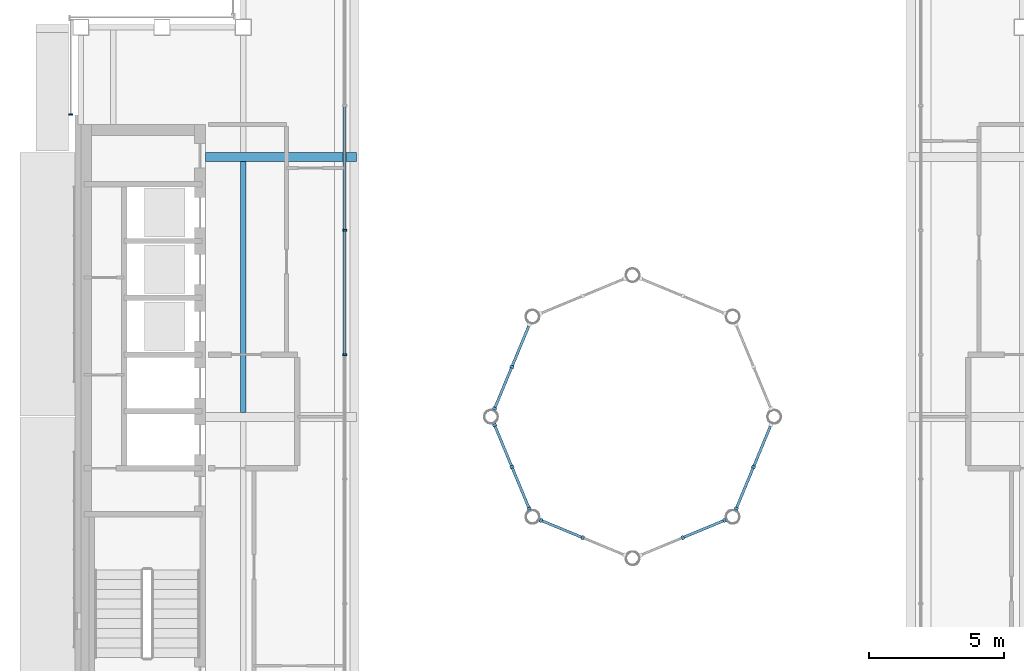
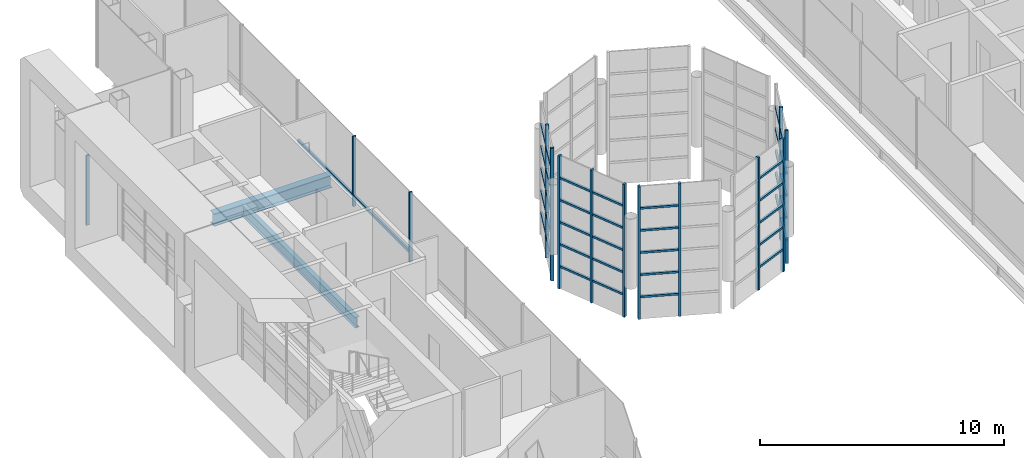
# One storey, part 5 of 21: 56 members, 2 beams, 7 elements without a shape of their own.
"""IFC4 building model written with IfcOpenShell, lengths in metres."""

from ifc_helpers import new_model, si_unit, direction, frame, origin, origin_2d, place, context, subcontext, project, spatial, rectangle, i_section, extrude, material, material_profile, profile_set, type_object, element, aggregate, save


model = new_model("IFC4")

# Units and contexts
model_context = context("Model", 3, precision=1e-05, world=origin(), true_north=direction((0.0, 1.0)))
body_context = subcontext(model_context, "Body", "Model", "MODEL_VIEW")
ifc_project = project(units=[si_unit("LENGTHUNIT", "METRE"), si_unit("AREAUNIT", "SQUARE_METRE"), si_unit("VOLUMEUNIT", "CUBIC_METRE"), si_unit("PLANEANGLEUNIT", "RADIAN"), si_unit("MASSUNIT", "GRAM", prefix="KILO")], contexts=[model_context])

# Site, building, storey
site_placement = place(None, origin())
site = spatial("IfcSite", under=ifc_project, at=site_placement, CompositionType="ELEMENT")
building_placement = place(site_placement, origin())
building = spatial("IfcBuilding", under=site, at=building_placement, Name="Cobrizo Arcos Hotel Tower", CompositionType="ELEMENT")
storey_placement = place(building_placement, frame((0.0, 0.0, 283.0)))
storey = spatial("IfcBuildingStorey", under=building, at=storey_placement, Name="L75", CompositionType="ELEMENT", Elevation=283.0)

# Curtain wall, member
ifc_material_1 = material(Name="Aluminium 6063-T6 anodised bronze", Category="aluminium")
curtain_wall_type_1 = type_object("IfcCurtainWallType", Name="CW-A guest facade", PredefinedType="NOTDEFINED", material=ifc_material_1)
curtain_wall_1_placement = place(storey_placement, origin())
curtain_wall_1 = element("IfcCurtainWall", 1, at=curtain_wall_1_placement, inside=storey, type_object=curtain_wall_type_1, Name="CW-A L75 W face", PredefinedType="NOTDEFINED")
ifc_material_profile_1 = material_profile(ifc_material_1, rectangle(XDim=0.14990234375, YDim=0.06005859375, at=origin_2d()), Name="CW-A mullion 150x60")
ifc_profile_set_1 = profile_set([ifc_material_profile_1], Name="Aluminium 6063-T6 anodised bronze")
member_type_1 = type_object("IfcMemberType", Name="CW-A mullion 150x60", PredefinedType="MULLION", material=ifc_profile_set_1)
member_1_placement = place(storey_placement, frame((-20.77490234375, 11.179931640625, 0.0), z_axis=(0.0, 0.0, 1.0), x_axis=(-1.0, 0.0, 0.0)))
member_1 = element("IfcMember", 2, at=member_1_placement, type_object=member_type_1, Name="CW-A mullion 2", PredefinedType="MULLION", context=body_context, shape_type="SweptSolid", body=[
    extrude(rectangle(XDim=0.14990234375, YDim=0.06005859375, at=origin_2d()), origin(), (0.0, 0.0, 1.0), 3.5),
])
aggregate(curtain_wall_1, [member_1])

# Curtain wall, members
curtain_wall_type_2 = type_object("IfcCurtainWallType", Name="CW-C arch infill and crown glazing", PredefinedType="NOTDEFINED", material=ifc_material_1)
curtain_wall_2_placement = place(storey_placement, origin())
curtain_wall_2 = element("IfcCurtainWall", 3, at=curtain_wall_2_placement, inside=storey, type_object=curtain_wall_type_2, Name="CW-C L75 E face", PredefinedType="NOTDEFINED")
ifc_material_profile_2 = material_profile(ifc_material_1, rectangle(XDim=0.14990234375, YDim=0.070068359375, at=origin_2d()), Name="CW-C mullion 150x70")
ifc_profile_set_2 = profile_set([ifc_material_profile_2], Name="Aluminium 6063-T6 anodised bronze")
member_type_2 = type_object("IfcMemberType", Name="CW-C mullion 150x70", PredefinedType="MULLION", material=ifc_profile_set_2)
member_2_placement = place(storey_placement, frame((-10.65087890625, 2.300048828125, 0.0), z_axis=(0.0, 0.0, 1.0), x_axis=(1.0, 0.0, 0.0)))
member_2 = element("IfcMember", 4, at=member_2_placement, type_object=member_type_2, Name="CW-C mullion 6", PredefinedType="MULLION", context=body_context, shape_type="SweptSolid", body=[
    extrude(rectangle(XDim=0.14990234375, YDim=0.070068359375, at=origin_2d()), origin(), (0.0, 0.0, 1.0), 3.5),
])
member_3_placement = place(storey_placement, frame((-10.65087890625, 6.89990234375, 0.0), z_axis=(0.0, 0.0, 1.0), x_axis=(1.0, 0.0, 0.0)))
member_3 = element("IfcMember", 5, at=member_3_placement, type_object=member_type_2, Name="CW-C mullion 7", PredefinedType="MULLION", context=body_context, shape_type="SweptSolid", body=[
    extrude(rectangle(XDim=0.14990234375, YDim=0.070068359375, at=origin_2d()), origin(), (0.0, 0.0, 1.0), 3.5),
])
ifc_material_profile_3 = material_profile(ifc_material_1, rectangle(XDim=0.10009765625, YDim=0.139892578125, at=origin_2d()), Name="CW-C transom 140x100")
ifc_profile_set_3 = profile_set([ifc_material_profile_3], Name="Aluminium 6063-T6 anodised bronze")
member_type_3 = type_object("IfcMemberType", Name="CW-C transom 140x100", PredefinedType="USERDEFINED", material=ifc_profile_set_3)
member_4_placement = place(storey_placement, frame((-10.65087890625, 2.3349609375, 0.5), z_axis=(0.0, 1.0, 0.0), x_axis=(-1.0, 0.0, 0.0)))
member_4 = element("IfcMember", 6, at=member_4_placement, type_object=member_type_3, Name="CW-C transom 2381", ObjectType="TRANSOM", PredefinedType="USERDEFINED", context=body_context, shape_type="SweptSolid", body=[
    extrude(rectangle(XDim=0.10009765625, YDim=0.139892578125, at=origin_2d()), origin(), (0.0, 0.0, 1.0), 4.530029296875),
])
member_5_placement = place(storey_placement, frame((-10.65087890625, 6.93505859375, 0.5), z_axis=(0.0, 1.0, 0.0), x_axis=(-1.0, 0.0, 0.0)))
member_5 = element("IfcMember", 7, at=member_5_placement, type_object=member_type_3, Name="CW-C transom 2382", ObjectType="TRANSOM", PredefinedType="USERDEFINED", context=body_context, shape_type="SweptSolid", body=[
    extrude(rectangle(XDim=0.10009765625, YDim=0.139892578125, at=origin_2d()), origin(), (0.0, 0.0, 1.0), 4.530029296875),
])
aggregate(curtain_wall_2, [member_2, member_3, member_4, member_5])

curtain_wall_type_3 = type_object("IfcCurtainWallType", Name="CW-D plant louvre wall", PredefinedType="NOTDEFINED", material=ifc_material_1)
curtain_wall_3_placement = place(storey_placement, origin())
curtain_wall_3 = element("IfcCurtainWall", 8, at=curtain_wall_3_placement, inside=storey, type_object=curtain_wall_type_3, Name="CW-D drum louvre wall t2-4", PredefinedType="NOTDEFINED")
ifc_material_profile_4 = material_profile(ifc_material_1, rectangle(XDim=0.14990234375, YDim=0.10009765625, at=origin_2d()), Name="CW-D mullion 150x100")
ifc_profile_set_4 = profile_set([ifc_material_profile_4], Name="Aluminium 6063-T6 anodised bronze")
member_type_4 = type_object("IfcMemberType", Name="CW-D mullion 150x100", PredefinedType="MULLION", material=ifc_profile_set_4)
member_6_placement = place(storey_placement, frame((-4.46630859375, 1.85009765625, -1.666748046875), z_axis=(0.0, 0.0, 1.0), x_axis=(-0.923879532511, 0.382683432365, 0.0)))
member_6 = element("IfcMember", 9, at=member_6_placement, type_object=member_type_4, Name="CW-D mullion 2", PredefinedType="MULLION", context=body_context, shape_type="SweptSolid", body=[
    extrude(rectangle(XDim=0.14990234375, YDim=0.10009765625, at=origin_2d()), origin(), (0.0, 0.0, 1.0), 6.633544921875),
])
member_7_placement = place(storey_placement, frame((-5.104736328125, 0.30859375, -1.666748046875), z_axis=(0.0, 0.0, 1.0), x_axis=(-0.923879532511, 0.382683432365, 0.0)))
member_7 = element("IfcMember", 10, at=member_7_placement, type_object=member_type_4, Name="CW-D mullion 3", PredefinedType="MULLION", context=body_context, shape_type="SweptSolid", body=[
    extrude(rectangle(XDim=0.14990234375, YDim=0.10009765625, at=origin_2d()), origin(), (0.0, 0.0, 1.0), 6.633544921875),
])

curtain_wall_4_placement = place(storey_placement, origin())
curtain_wall_4 = element("IfcCurtainWall", 11, at=curtain_wall_4_placement, inside=storey, type_object=curtain_wall_type_3, Name="CW-D drum louvre wall t2-5", PredefinedType="NOTDEFINED")
member_8_placement = place(storey_placement, frame((-5.104736328125, -0.30859375, -1.666748046875), z_axis=(0.0, 0.0, 1.0), x_axis=(-0.923879532511, -0.382683432365, 0.0)))
member_8 = element("IfcMember", 12, at=member_8_placement, type_object=member_type_4, Name="CW-D mullion 1", PredefinedType="MULLION", context=body_context, shape_type="SweptSolid", body=[
    extrude(rectangle(XDim=0.14990234375, YDim=0.10009765625, at=origin_2d()), origin(), (0.0, 0.0, 1.0), 6.633544921875),
])
member_9_placement = place(storey_placement, frame((-4.46630859375, -1.85009765625, -1.666748046875), z_axis=(0.0, 0.0, 1.0), x_axis=(-0.923879532511, -0.382683432365, 0.0)))
member_9 = element("IfcMember", 13, at=member_9_placement, type_object=member_type_4, Name="CW-D mullion 2", PredefinedType="MULLION", context=body_context, shape_type="SweptSolid", body=[
    extrude(rectangle(XDim=0.14990234375, YDim=0.10009765625, at=origin_2d()), origin(), (0.0, 0.0, 1.0), 6.633544921875),
])
member_10_placement = place(storey_placement, frame((-3.827880859375, -3.391357421875, -1.666748046875), z_axis=(0.0, 0.0, 1.0), x_axis=(-0.923879532511, -0.382683432365, 0.0)))
member_10 = element("IfcMember", 14, at=member_10_placement, type_object=member_type_4, Name="CW-D mullion 3", PredefinedType="MULLION", context=body_context, shape_type="SweptSolid", body=[
    extrude(rectangle(XDim=0.14990234375, YDim=0.10009765625, at=origin_2d()), origin(), (0.0, 0.0, 1.0), 6.633544921875),
])

curtain_wall_5_placement = place(storey_placement, origin())
curtain_wall_5 = element("IfcCurtainWall", 15, at=curtain_wall_5_placement, inside=storey, type_object=curtain_wall_type_3, Name="CW-D drum louvre wall t2-6", PredefinedType="NOTDEFINED")
member_11_placement = place(storey_placement, frame((-3.391357421875, -3.827880859375, -1.666748046875), z_axis=(0.0, 0.0, 1.0), x_axis=(-0.382683432365, -0.923879532511, 0.0)))
member_11 = element("IfcMember", 16, at=member_11_placement, type_object=member_type_4, Name="CW-D mullion 1", PredefinedType="MULLION", context=body_context, shape_type="SweptSolid", body=[
    extrude(rectangle(XDim=0.14990234375, YDim=0.10009765625, at=origin_2d()), origin(), (0.0, 0.0, 1.0), 6.633544921875),
])
member_12_placement = place(storey_placement, frame((-1.85009765625, -4.46630859375, -1.666748046875), z_axis=(0.0, 0.0, 1.0), x_axis=(-0.382683432365, -0.923879532511, 0.0)))
member_12 = element("IfcMember", 17, at=member_12_placement, type_object=member_type_4, Name="CW-D mullion 2", PredefinedType="MULLION", context=body_context, shape_type="SweptSolid", body=[
    extrude(rectangle(XDim=0.14990234375, YDim=0.10009765625, at=origin_2d()), origin(), (0.0, 0.0, 1.0), 6.633544921875),
])

curtain_wall_6_placement = place(storey_placement, origin())
curtain_wall_6 = element("IfcCurtainWall", 18, at=curtain_wall_6_placement, inside=storey, type_object=curtain_wall_type_3, Name="CW-D drum louvre wall t2-7", PredefinedType="NOTDEFINED")
member_13_placement = place(storey_placement, frame((1.85009765625, -4.46630859375, -1.666748046875), z_axis=(0.0, 0.0, 1.0), x_axis=(0.382683432365, -0.923879532511, 0.0)))
member_13 = element("IfcMember", 19, at=member_13_placement, type_object=member_type_4, Name="CW-D mullion 2", PredefinedType="MULLION", context=body_context, shape_type="SweptSolid", body=[
    extrude(rectangle(XDim=0.14990234375, YDim=0.10009765625, at=origin_2d()), origin(), (0.0, 0.0, 1.0), 6.633544921875),
])
member_14_placement = place(storey_placement, frame((3.391357421875, -3.827880859375, -1.666748046875), z_axis=(0.0, 0.0, 1.0), x_axis=(0.382683432365, -0.923879532511, 0.0)))
member_14 = element("IfcMember", 20, at=member_14_placement, type_object=member_type_4, Name="CW-D mullion 3", PredefinedType="MULLION", context=body_context, shape_type="SweptSolid", body=[
    extrude(rectangle(XDim=0.14990234375, YDim=0.10009765625, at=origin_2d()), origin(), (0.0, 0.0, 1.0), 6.633544921875),
])

curtain_wall_7_placement = place(storey_placement, origin())
curtain_wall_7 = element("IfcCurtainWall", 21, at=curtain_wall_7_placement, inside=storey, type_object=curtain_wall_type_3, Name="CW-D drum louvre wall t2-8", PredefinedType="NOTDEFINED")
member_15_placement = place(storey_placement, frame((3.827880859375, -3.391357421875, -1.666748046875), z_axis=(0.0, 0.0, 1.0), x_axis=(0.923879532511, -0.382683432365, 0.0)))
member_15 = element("IfcMember", 22, at=member_15_placement, type_object=member_type_4, Name="CW-D mullion 1", PredefinedType="MULLION", context=body_context, shape_type="SweptSolid", body=[
    extrude(rectangle(XDim=0.14990234375, YDim=0.10009765625, at=origin_2d()), origin(), (0.0, 0.0, 1.0), 6.633544921875),
])
member_16_placement = place(storey_placement, frame((4.46630859375, -1.85009765625, -1.666748046875), z_axis=(0.0, 0.0, 1.0), x_axis=(0.923879532511, -0.382683432365, 0.0)))
member_16 = element("IfcMember", 23, at=member_16_placement, type_object=member_type_4, Name="CW-D mullion 2", PredefinedType="MULLION", context=body_context, shape_type="SweptSolid", body=[
    extrude(rectangle(XDim=0.14990234375, YDim=0.10009765625, at=origin_2d()), origin(), (0.0, 0.0, 1.0), 6.633544921875),
])

# Member
ifc_material_profile_5 = material_profile(ifc_material_1, rectangle(XDim=0.10009765625, YDim=0.10009765625, at=origin_2d()), Name="CW-D transom 100x100")
ifc_profile_set_5 = profile_set([ifc_material_profile_5], Name="Aluminium 6063-T6 anodised bronze")
member_type_5 = type_object("IfcMemberType", Name="CW-D transom 100x100", PredefinedType="USERDEFINED", material=ifc_profile_set_5)
member_17_placement = place(storey_placement, frame((-3.846923828125, 3.34521484375, -0.56103515625), z_axis=(-0.382768797092, -0.923844168663, 0.0), x_axis=(0.923844168663, -0.382768797092, 0.0)))
member_17 = element("IfcMember", 24, at=member_17_placement, type_object=member_type_5, Name="CW-D transom 1-1", ObjectType="TRANSOM", PredefinedType="USERDEFINED", context=body_context, shape_type="SweptSolid", body=[
    extrude(rectangle(XDim=0.10009765625, YDim=0.10009765625, at=origin_2d()), origin(), (0.0, 0.0, 1.0), 1.568359375),
])

member_18_placement = place(storey_placement, frame((-3.846923828125, 3.34521484375, 0.54443359375), z_axis=(-0.382768797092, -0.923844168663, 0.0), x_axis=(0.923844168663, -0.382768797092, 0.0)))
member_18 = element("IfcMember", 25, at=member_18_placement, type_object=member_type_5, Name="CW-D transom 1-2", ObjectType="TRANSOM", PredefinedType="USERDEFINED", context=body_context, shape_type="SweptSolid", body=[
    extrude(rectangle(XDim=0.10009765625, YDim=0.10009765625, at=origin_2d()), origin(), (0.0, 0.0, 1.0), 1.568359375),
])

member_19_placement = place(storey_placement, frame((-3.846923828125, 3.34521484375, 1.64990234375), z_axis=(-0.382768797092, -0.923844168663, 0.0), x_axis=(0.923844168663, -0.382768797092, 0.0)))
member_19 = element("IfcMember", 26, at=member_19_placement, type_object=member_type_5, Name="CW-D transom 1-3", ObjectType="TRANSOM", PredefinedType="USERDEFINED", context=body_context, shape_type="SweptSolid", body=[
    extrude(rectangle(XDim=0.10009765625, YDim=0.10009765625, at=origin_2d()), origin(), (0.0, 0.0, 1.0), 1.568359375),
])

member_20_placement = place(storey_placement, frame((-3.846923828125, 3.34521484375, 2.755615234375), z_axis=(-0.382768797092, -0.923844168663, 0.0), x_axis=(0.923844168663, -0.382768797092, 0.0)))
member_20 = element("IfcMember", 27, at=member_20_placement, type_object=member_type_5, Name="CW-D transom 1-4", ObjectType="TRANSOM", PredefinedType="USERDEFINED", context=body_context, shape_type="SweptSolid", body=[
    extrude(rectangle(XDim=0.10009765625, YDim=0.10009765625, at=origin_2d()), origin(), (0.0, 0.0, 1.0), 1.568359375),
])

member_21_placement = place(storey_placement, frame((-3.846923828125, 3.34521484375, 3.861083984375), z_axis=(-0.382768797092, -0.923844168663, 0.0), x_axis=(0.923844168663, -0.382768797092, 0.0)))
member_21 = element("IfcMember", 28, at=member_21_placement, type_object=member_type_5, Name="CW-D transom 1-5", ObjectType="TRANSOM", PredefinedType="USERDEFINED", context=body_context, shape_type="SweptSolid", body=[
    extrude(rectangle(XDim=0.10009765625, YDim=0.10009765625, at=origin_2d()), origin(), (0.0, 0.0, 1.0), 1.568359375),
])

member_22_placement = place(storey_placement, frame((-4.4853515625, 1.8037109375, -0.56103515625), z_axis=(-0.382768797092, -0.923844168663, 0.0), x_axis=(0.923844168663, -0.382768797092, 0.0)))
member_22 = element("IfcMember", 29, at=member_22_placement, type_object=member_type_5, Name="CW-D transom 2-1", ObjectType="TRANSOM", PredefinedType="USERDEFINED", context=body_context, shape_type="SweptSolid", body=[
    extrude(rectangle(XDim=0.10009765625, YDim=0.10009765625, at=origin_2d()), origin(), (0.0, 0.0, 1.0), 1.568359375),
])

member_23_placement = place(storey_placement, frame((-4.4853515625, 1.8037109375, 0.54443359375), z_axis=(-0.382768797092, -0.923844168663, 0.0), x_axis=(0.923844168663, -0.382768797092, 0.0)))
member_23 = element("IfcMember", 30, at=member_23_placement, type_object=member_type_5, Name="CW-D transom 2-2", ObjectType="TRANSOM", PredefinedType="USERDEFINED", context=body_context, shape_type="SweptSolid", body=[
    extrude(rectangle(XDim=0.10009765625, YDim=0.10009765625, at=origin_2d()), origin(), (0.0, 0.0, 1.0), 1.568359375),
])

member_24_placement = place(storey_placement, frame((-4.4853515625, 1.8037109375, 1.64990234375), z_axis=(-0.382768797092, -0.923844168663, 0.0), x_axis=(0.923844168663, -0.382768797092, 0.0)))
member_24 = element("IfcMember", 31, at=member_24_placement, type_object=member_type_5, Name="CW-D transom 2-3", ObjectType="TRANSOM", PredefinedType="USERDEFINED", context=body_context, shape_type="SweptSolid", body=[
    extrude(rectangle(XDim=0.10009765625, YDim=0.10009765625, at=origin_2d()), origin(), (0.0, 0.0, 1.0), 1.568359375),
])

member_25_placement = place(storey_placement, frame((-4.4853515625, 1.8037109375, 2.755615234375), z_axis=(-0.382768797092, -0.923844168663, 0.0), x_axis=(0.923844168663, -0.382768797092, 0.0)))
member_25 = element("IfcMember", 32, at=member_25_placement, type_object=member_type_5, Name="CW-D transom 2-4", ObjectType="TRANSOM", PredefinedType="USERDEFINED", context=body_context, shape_type="SweptSolid", body=[
    extrude(rectangle(XDim=0.10009765625, YDim=0.10009765625, at=origin_2d()), origin(), (0.0, 0.0, 1.0), 1.568359375),
])

member_26_placement = place(storey_placement, frame((-4.4853515625, 1.8037109375, 3.861083984375), z_axis=(-0.382768797092, -0.923844168663, 0.0), x_axis=(0.923844168663, -0.382768797092, 0.0)))
member_26 = element("IfcMember", 33, at=member_26_placement, type_object=member_type_5, Name="CW-D transom 2-5", ObjectType="TRANSOM", PredefinedType="USERDEFINED", context=body_context, shape_type="SweptSolid", body=[
    extrude(rectangle(XDim=0.10009765625, YDim=0.10009765625, at=origin_2d()), origin(), (0.0, 0.0, 1.0), 1.568359375),
])

aggregate(curtain_wall_3, [member_6, member_7, member_17, member_18, member_19, member_20, member_21, member_22, member_23, member_24, member_25, member_26])

member_27_placement = place(storey_placement, frame((-5.085693359375, -0.354736328125, -0.56103515625), z_axis=(0.382768797092, -0.923844168663, 0.0), x_axis=(0.923844168663, 0.382768797092, 0.0)))
member_27 = element("IfcMember", 34, at=member_27_placement, type_object=member_type_5, Name="CW-D transom 1-1", ObjectType="TRANSOM", PredefinedType="USERDEFINED", context=body_context, shape_type="SweptSolid", body=[
    extrude(rectangle(XDim=0.10009765625, YDim=0.10009765625, at=origin_2d()), origin(), (0.0, 0.0, 1.0), 1.568359375),
])

member_28_placement = place(storey_placement, frame((-5.085693359375, -0.354736328125, 0.54443359375), z_axis=(0.382768797092, -0.923844168663, 0.0), x_axis=(0.923844168663, 0.382768797092, 0.0)))
member_28 = element("IfcMember", 35, at=member_28_placement, type_object=member_type_5, Name="CW-D transom 1-2", ObjectType="TRANSOM", PredefinedType="USERDEFINED", context=body_context, shape_type="SweptSolid", body=[
    extrude(rectangle(XDim=0.10009765625, YDim=0.10009765625, at=origin_2d()), origin(), (0.0, 0.0, 1.0), 1.568359375),
])

member_29_placement = place(storey_placement, frame((-5.085693359375, -0.354736328125, 1.64990234375), z_axis=(0.382768797092, -0.923844168663, 0.0), x_axis=(0.923844168663, 0.382768797092, 0.0)))
member_29 = element("IfcMember", 36, at=member_29_placement, type_object=member_type_5, Name="CW-D transom 1-3", ObjectType="TRANSOM", PredefinedType="USERDEFINED", context=body_context, shape_type="SweptSolid", body=[
    extrude(rectangle(XDim=0.10009765625, YDim=0.10009765625, at=origin_2d()), origin(), (0.0, 0.0, 1.0), 1.568359375),
])

member_30_placement = place(storey_placement, frame((-5.085693359375, -0.354736328125, 2.755615234375), z_axis=(0.382768797092, -0.923844168663, 0.0), x_axis=(0.923844168663, 0.382768797092, 0.0)))
member_30 = element("IfcMember", 37, at=member_30_placement, type_object=member_type_5, Name="CW-D transom 1-4", ObjectType="TRANSOM", PredefinedType="USERDEFINED", context=body_context, shape_type="SweptSolid", body=[
    extrude(rectangle(XDim=0.10009765625, YDim=0.10009765625, at=origin_2d()), origin(), (0.0, 0.0, 1.0), 1.568359375),
])

member_31_placement = place(storey_placement, frame((-5.085693359375, -0.354736328125, 3.861083984375), z_axis=(0.382768797092, -0.923844168663, 0.0), x_axis=(0.923844168663, 0.382768797092, 0.0)))
member_31 = element("IfcMember", 38, at=member_31_placement, type_object=member_type_5, Name="CW-D transom 1-5", ObjectType="TRANSOM", PredefinedType="USERDEFINED", context=body_context, shape_type="SweptSolid", body=[
    extrude(rectangle(XDim=0.10009765625, YDim=0.10009765625, at=origin_2d()), origin(), (0.0, 0.0, 1.0), 1.568359375),
])

member_32_placement = place(storey_placement, frame((-4.447265625, -1.896240234375, -0.56103515625), z_axis=(0.382768797092, -0.923844168663, 0.0), x_axis=(0.923844168663, 0.382768797092, 0.0)))
member_32 = element("IfcMember", 39, at=member_32_placement, type_object=member_type_5, Name="CW-D transom 2-1", ObjectType="TRANSOM", PredefinedType="USERDEFINED", context=body_context, shape_type="SweptSolid", body=[
    extrude(rectangle(XDim=0.10009765625, YDim=0.10009765625, at=origin_2d()), origin(), (0.0, 0.0, 1.0), 1.568359375),
])

member_33_placement = place(storey_placement, frame((-4.447265625, -1.896240234375, 0.54443359375), z_axis=(0.382768797092, -0.923844168663, 0.0), x_axis=(0.923844168663, 0.382768797092, 0.0)))
member_33 = element("IfcMember", 40, at=member_33_placement, type_object=member_type_5, Name="CW-D transom 2-2", ObjectType="TRANSOM", PredefinedType="USERDEFINED", context=body_context, shape_type="SweptSolid", body=[
    extrude(rectangle(XDim=0.10009765625, YDim=0.10009765625, at=origin_2d()), origin(), (0.0, 0.0, 1.0), 1.568359375),
])

member_34_placement = place(storey_placement, frame((-4.447265625, -1.896240234375, 1.64990234375), z_axis=(0.382768797092, -0.923844168663, 0.0), x_axis=(0.923844168663, 0.382768797092, 0.0)))
member_34 = element("IfcMember", 41, at=member_34_placement, type_object=member_type_5, Name="CW-D transom 2-3", ObjectType="TRANSOM", PredefinedType="USERDEFINED", context=body_context, shape_type="SweptSolid", body=[
    extrude(rectangle(XDim=0.10009765625, YDim=0.10009765625, at=origin_2d()), origin(), (0.0, 0.0, 1.0), 1.568359375),
])

member_35_placement = place(storey_placement, frame((-4.447265625, -1.896240234375, 2.755615234375), z_axis=(0.382768797092, -0.923844168663, 0.0), x_axis=(0.923844168663, 0.382768797092, 0.0)))
member_35 = element("IfcMember", 42, at=member_35_placement, type_object=member_type_5, Name="CW-D transom 2-4", ObjectType="TRANSOM", PredefinedType="USERDEFINED", context=body_context, shape_type="SweptSolid", body=[
    extrude(rectangle(XDim=0.10009765625, YDim=0.10009765625, at=origin_2d()), origin(), (0.0, 0.0, 1.0), 1.568359375),
])

member_36_placement = place(storey_placement, frame((-4.447265625, -1.896240234375, 3.861083984375), z_axis=(0.382768797092, -0.923844168663, 0.0), x_axis=(0.923844168663, 0.382768797092, 0.0)))
member_36 = element("IfcMember", 43, at=member_36_placement, type_object=member_type_5, Name="CW-D transom 2-5", ObjectType="TRANSOM", PredefinedType="USERDEFINED", context=body_context, shape_type="SweptSolid", body=[
    extrude(rectangle(XDim=0.10009765625, YDim=0.10009765625, at=origin_2d()), origin(), (0.0, 0.0, 1.0), 1.568359375),
])

aggregate(curtain_wall_4, [member_8, member_9, member_10, member_27, member_28, member_29, member_30, member_31, member_32, member_33, member_34, member_35, member_36])

member_37_placement = place(storey_placement, frame((-3.34521484375, -3.846923828125, -0.56103515625), z_axis=(0.923844168663, -0.382768797092, 0.0), x_axis=(0.382768797092, 0.923844168663, 0.0)))
member_37 = element("IfcMember", 44, at=member_37_placement, type_object=member_type_5, Name="CW-D transom 1-1", ObjectType="TRANSOM", PredefinedType="USERDEFINED", context=body_context, shape_type="SweptSolid", body=[
    extrude(rectangle(XDim=0.10009765625, YDim=0.10009765625, at=origin_2d()), origin(), (0.0, 0.0, 1.0), 1.568359375),
])

member_38_placement = place(storey_placement, frame((-3.34521484375, -3.846923828125, 0.54443359375), z_axis=(0.923844168663, -0.382768797092, 0.0), x_axis=(0.382768797092, 0.923844168663, 0.0)))
member_38 = element("IfcMember", 45, at=member_38_placement, type_object=member_type_5, Name="CW-D transom 1-2", ObjectType="TRANSOM", PredefinedType="USERDEFINED", context=body_context, shape_type="SweptSolid", body=[
    extrude(rectangle(XDim=0.10009765625, YDim=0.10009765625, at=origin_2d()), origin(), (0.0, 0.0, 1.0), 1.568359375),
])

member_39_placement = place(storey_placement, frame((-3.34521484375, -3.846923828125, 1.64990234375), z_axis=(0.923844168663, -0.382768797092, 0.0), x_axis=(0.382768797092, 0.923844168663, 0.0)))
member_39 = element("IfcMember", 46, at=member_39_placement, type_object=member_type_5, Name="CW-D transom 1-3", ObjectType="TRANSOM", PredefinedType="USERDEFINED", context=body_context, shape_type="SweptSolid", body=[
    extrude(rectangle(XDim=0.10009765625, YDim=0.10009765625, at=origin_2d()), origin(), (0.0, 0.0, 1.0), 1.568359375),
])

member_40_placement = place(storey_placement, frame((-3.34521484375, -3.846923828125, 2.755615234375), z_axis=(0.923844168663, -0.382768797092, 0.0), x_axis=(0.382768797092, 0.923844168663, 0.0)))
member_40 = element("IfcMember", 47, at=member_40_placement, type_object=member_type_5, Name="CW-D transom 1-4", ObjectType="TRANSOM", PredefinedType="USERDEFINED", context=body_context, shape_type="SweptSolid", body=[
    extrude(rectangle(XDim=0.10009765625, YDim=0.10009765625, at=origin_2d()), origin(), (0.0, 0.0, 1.0), 1.568359375),
])

member_41_placement = place(storey_placement, frame((-3.34521484375, -3.846923828125, 3.861083984375), z_axis=(0.923844168663, -0.382768797092, 0.0), x_axis=(0.382768797092, 0.923844168663, 0.0)))
member_41 = element("IfcMember", 48, at=member_41_placement, type_object=member_type_5, Name="CW-D transom 1-5", ObjectType="TRANSOM", PredefinedType="USERDEFINED", context=body_context, shape_type="SweptSolid", body=[
    extrude(rectangle(XDim=0.10009765625, YDim=0.10009765625, at=origin_2d()), origin(), (0.0, 0.0, 1.0), 1.568359375),
])

aggregate(curtain_wall_5, [member_11, member_12, member_37, member_38, member_39, member_40, member_41])

member_42_placement = place(storey_placement, frame((1.896240234375, -4.447265625, -0.56103515625), z_axis=(0.923844168663, 0.382768797092, 0.0), x_axis=(-0.382768797092, 0.923844168663, 0.0)))
member_42 = element("IfcMember", 49, at=member_42_placement, type_object=member_type_5, Name="CW-D transom 2-1", ObjectType="TRANSOM", PredefinedType="USERDEFINED", context=body_context, shape_type="SweptSolid", body=[
    extrude(rectangle(XDim=0.10009765625, YDim=0.10009765625, at=origin_2d()), origin(), (0.0, 0.0, 1.0), 1.568359375),
])

member_43_placement = place(storey_placement, frame((1.896240234375, -4.447265625, 0.54443359375), z_axis=(0.923844168663, 0.382768797092, 0.0), x_axis=(-0.382768797092, 0.923844168663, 0.0)))
member_43 = element("IfcMember", 50, at=member_43_placement, type_object=member_type_5, Name="CW-D transom 2-2", ObjectType="TRANSOM", PredefinedType="USERDEFINED", context=body_context, shape_type="SweptSolid", body=[
    extrude(rectangle(XDim=0.10009765625, YDim=0.10009765625, at=origin_2d()), origin(), (0.0, 0.0, 1.0), 1.568359375),
])

member_44_placement = place(storey_placement, frame((1.896240234375, -4.447265625, 1.64990234375), z_axis=(0.923844168663, 0.382768797092, 0.0), x_axis=(-0.382768797092, 0.923844168663, 0.0)))
member_44 = element("IfcMember", 51, at=member_44_placement, type_object=member_type_5, Name="CW-D transom 2-3", ObjectType="TRANSOM", PredefinedType="USERDEFINED", context=body_context, shape_type="SweptSolid", body=[
    extrude(rectangle(XDim=0.10009765625, YDim=0.10009765625, at=origin_2d()), origin(), (0.0, 0.0, 1.0), 1.568359375),
])

member_45_placement = place(storey_placement, frame((1.896240234375, -4.447265625, 2.755615234375), z_axis=(0.923844168663, 0.382768797092, 0.0), x_axis=(-0.382768797092, 0.923844168663, 0.0)))
member_45 = element("IfcMember", 52, at=member_45_placement, type_object=member_type_5, Name="CW-D transom 2-4", ObjectType="TRANSOM", PredefinedType="USERDEFINED", context=body_context, shape_type="SweptSolid", body=[
    extrude(rectangle(XDim=0.10009765625, YDim=0.10009765625, at=origin_2d()), origin(), (0.0, 0.0, 1.0), 1.568359375),
])

member_46_placement = place(storey_placement, frame((1.896240234375, -4.447265625, 3.861083984375), z_axis=(0.923844168663, 0.382768797092, 0.0), x_axis=(-0.382768797092, 0.923844168663, 0.0)))
member_46 = element("IfcMember", 53, at=member_46_placement, type_object=member_type_5, Name="CW-D transom 2-5", ObjectType="TRANSOM", PredefinedType="USERDEFINED", context=body_context, shape_type="SweptSolid", body=[
    extrude(rectangle(XDim=0.10009765625, YDim=0.10009765625, at=origin_2d()), origin(), (0.0, 0.0, 1.0), 1.568359375),
])

aggregate(curtain_wall_6, [member_13, member_14, member_42, member_43, member_44, member_45, member_46])

member_47_placement = place(storey_placement, frame((3.846923828125, -3.34521484375, -0.56103515625), z_axis=(0.382768797092, 0.923844168663, 0.0), x_axis=(-0.923844168663, 0.382768797092, 0.0)))
member_47 = element("IfcMember", 54, at=member_47_placement, type_object=member_type_5, Name="CW-D transom 1-1", ObjectType="TRANSOM", PredefinedType="USERDEFINED", context=body_context, shape_type="SweptSolid", body=[
    extrude(rectangle(XDim=0.10009765625, YDim=0.10009765625, at=origin_2d()), origin(), (0.0, 0.0, 1.0), 1.568359375),
])

member_48_placement = place(storey_placement, frame((3.846923828125, -3.34521484375, 0.54443359375), z_axis=(0.382768797092, 0.923844168663, 0.0), x_axis=(-0.923844168663, 0.382768797092, 0.0)))
member_48 = element("IfcMember", 55, at=member_48_placement, type_object=member_type_5, Name="CW-D transom 1-2", ObjectType="TRANSOM", PredefinedType="USERDEFINED", context=body_context, shape_type="SweptSolid", body=[
    extrude(rectangle(XDim=0.10009765625, YDim=0.10009765625, at=origin_2d()), origin(), (0.0, 0.0, 1.0), 1.568359375),
])

member_49_placement = place(storey_placement, frame((3.846923828125, -3.34521484375, 1.64990234375), z_axis=(0.382768797092, 0.923844168663, 0.0), x_axis=(-0.923844168663, 0.382768797092, 0.0)))
member_49 = element("IfcMember", 56, at=member_49_placement, type_object=member_type_5, Name="CW-D transom 1-3", ObjectType="TRANSOM", PredefinedType="USERDEFINED", context=body_context, shape_type="SweptSolid", body=[
    extrude(rectangle(XDim=0.10009765625, YDim=0.10009765625, at=origin_2d()), origin(), (0.0, 0.0, 1.0), 1.568359375),
])

member_50_placement = place(storey_placement, frame((3.846923828125, -3.34521484375, 2.755615234375), z_axis=(0.382768797092, 0.923844168663, 0.0), x_axis=(-0.923844168663, 0.382768797092, 0.0)))
member_50 = element("IfcMember", 57, at=member_50_placement, type_object=member_type_5, Name="CW-D transom 1-4", ObjectType="TRANSOM", PredefinedType="USERDEFINED", context=body_context, shape_type="SweptSolid", body=[
    extrude(rectangle(XDim=0.10009765625, YDim=0.10009765625, at=origin_2d()), origin(), (0.0, 0.0, 1.0), 1.568359375),
])

member_51_placement = place(storey_placement, frame((3.846923828125, -3.34521484375, 3.861083984375), z_axis=(0.382768797092, 0.923844168663, 0.0), x_axis=(-0.923844168663, 0.382768797092, 0.0)))
member_51 = element("IfcMember", 58, at=member_51_placement, type_object=member_type_5, Name="CW-D transom 1-5", ObjectType="TRANSOM", PredefinedType="USERDEFINED", context=body_context, shape_type="SweptSolid", body=[
    extrude(rectangle(XDim=0.10009765625, YDim=0.10009765625, at=origin_2d()), origin(), (0.0, 0.0, 1.0), 1.568359375),
])

member_52_placement = place(storey_placement, frame((4.4853515625, -1.8037109375, -0.56103515625), z_axis=(0.382768797092, 0.923844168663, 0.0), x_axis=(-0.923844168663, 0.382768797092, 0.0)))
member_52 = element("IfcMember", 59, at=member_52_placement, type_object=member_type_5, Name="CW-D transom 2-1", ObjectType="TRANSOM", PredefinedType="USERDEFINED", context=body_context, shape_type="SweptSolid", body=[
    extrude(rectangle(XDim=0.10009765625, YDim=0.10009765625, at=origin_2d()), origin(), (0.0, 0.0, 1.0), 1.568359375),
])

member_53_placement = place(storey_placement, frame((4.4853515625, -1.8037109375, 0.54443359375), z_axis=(0.382768797092, 0.923844168663, 0.0), x_axis=(-0.923844168663, 0.382768797092, 0.0)))
member_53 = element("IfcMember", 60, at=member_53_placement, type_object=member_type_5, Name="CW-D transom 2-2", ObjectType="TRANSOM", PredefinedType="USERDEFINED", context=body_context, shape_type="SweptSolid", body=[
    extrude(rectangle(XDim=0.10009765625, YDim=0.10009765625, at=origin_2d()), origin(), (0.0, 0.0, 1.0), 1.568359375),
])

member_54_placement = place(storey_placement, frame((4.4853515625, -1.8037109375, 1.64990234375), z_axis=(0.382768797092, 0.923844168663, 0.0), x_axis=(-0.923844168663, 0.382768797092, 0.0)))
member_54 = element("IfcMember", 61, at=member_54_placement, type_object=member_type_5, Name="CW-D transom 2-3", ObjectType="TRANSOM", PredefinedType="USERDEFINED", context=body_context, shape_type="SweptSolid", body=[
    extrude(rectangle(XDim=0.10009765625, YDim=0.10009765625, at=origin_2d()), origin(), (0.0, 0.0, 1.0), 1.568359375),
])

member_55_placement = place(storey_placement, frame((4.4853515625, -1.8037109375, 2.755615234375), z_axis=(0.382768797092, 0.923844168663, 0.0), x_axis=(-0.923844168663, 0.382768797092, 0.0)))
member_55 = element("IfcMember", 62, at=member_55_placement, type_object=member_type_5, Name="CW-D transom 2-4", ObjectType="TRANSOM", PredefinedType="USERDEFINED", context=body_context, shape_type="SweptSolid", body=[
    extrude(rectangle(XDim=0.10009765625, YDim=0.10009765625, at=origin_2d()), origin(), (0.0, 0.0, 1.0), 1.568359375),
])

member_56_placement = place(storey_placement, frame((4.4853515625, -1.8037109375, 3.861083984375), z_axis=(0.382768797092, 0.923844168663, 0.0), x_axis=(-0.923844168663, 0.382768797092, 0.0)))
member_56 = element("IfcMember", 63, at=member_56_placement, type_object=member_type_5, Name="CW-D transom 2-5", ObjectType="TRANSOM", PredefinedType="USERDEFINED", context=body_context, shape_type="SweptSolid", body=[
    extrude(rectangle(XDim=0.10009765625, YDim=0.10009765625, at=origin_2d()), origin(), (0.0, 0.0, 1.0), 1.568359375),
])

aggregate(curtain_wall_7, [member_15, member_16, member_47, member_48, member_49, member_50, member_51, member_52, member_53, member_54, member_55, member_56])

# Beams
ifc_material_2 = material(Name="Steel ASTM A992 Grade 50", Category="steel")
ifc_material_profile_6 = material_profile(ifc_material_2, i_section(OverallWidth=0.209228515625, OverallDepth=0.533447265625, WebThickness=0.01025390625, FlangeThickness=0.015625, at=origin_2d()), Name="W21X62")
ifc_profile_set_6 = profile_set([ifc_material_profile_6], Name="Steel ASTM A992 Grade 50")
beam_type_1 = type_object("IfcBeamType", Name="W21X62 joist", PredefinedType="JOIST", material=ifc_profile_set_6)
beam_1_placement = place(storey_placement, frame((-14.39990234375, 0.163818359375, -0.416748046875), z_axis=(0.0, 1.0, 0.0), x_axis=(-1.0, 0.0, 0.0)))
element("IfcBeam", 64, at=beam_1_placement, inside=storey, type_object=beam_type_1, Name="Floor joist J1, L75, no. 005", PredefinedType="JOIST", context=body_context, shape_type="SweptSolid", body=[
    extrude(i_section(OverallWidth=0.209228515625, OverallDepth=0.533447265625, WebThickness=0.01025390625, FlangeThickness=0.015625, at=origin_2d()), origin(), (0.0, 0.0, 1.0), 9.272216796875),
])
ifc_material_profile_7 = material_profile(ifc_material_2, i_section(OverallWidth=0.32763671875, OverallDepth=0.622314453125, WebThickness=0.015380859375, FlangeThickness=0.0244140625, at=origin_2d()), Name="W24X131")
ifc_profile_set_7 = profile_set([ifc_material_profile_7], Name="Steel ASTM A992 Grade 50")
beam_type_2 = type_object("IfcBeamType", Name="W24X131 girder", PredefinedType="BEAM", material=ifc_profile_set_7)
beam_2_placement = place(storey_placement, frame((-15.7900390625, 9.60009765625, -0.461181640625), z_axis=(1.0, 0.0, 0.0), x_axis=(0.0, 1.0, 0.0)))
element("IfcBeam", 65, at=beam_2_placement, inside=storey, type_object=beam_type_2, Name="Floor girder G1, L75, no. 005", PredefinedType="BEAM", context=body_context, shape_type="SweptSolid", body=[
    extrude(i_section(OverallWidth=0.32763671875, OverallDepth=0.622314453125, WebThickness=0.015380859375, FlangeThickness=0.0244140625, at=origin_2d()), origin(), (0.0, 0.0, 1.0), 5.572021484375),
])

save(model, "model.ifc")
